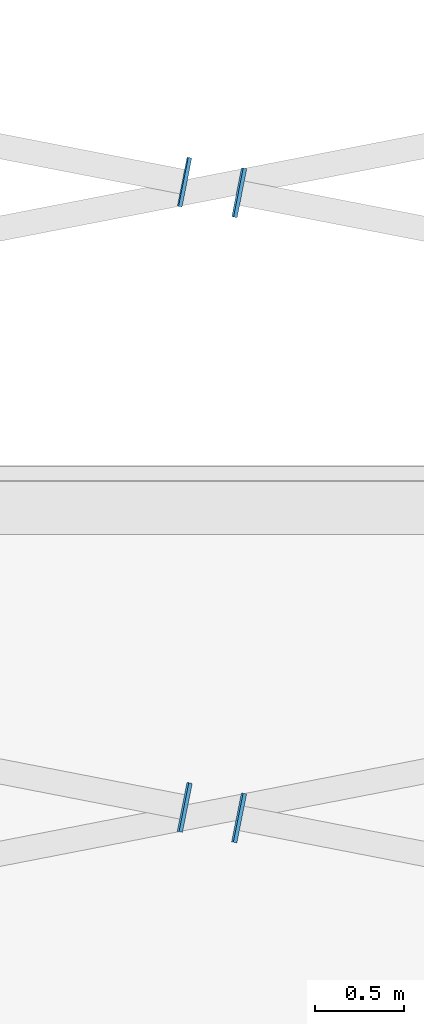
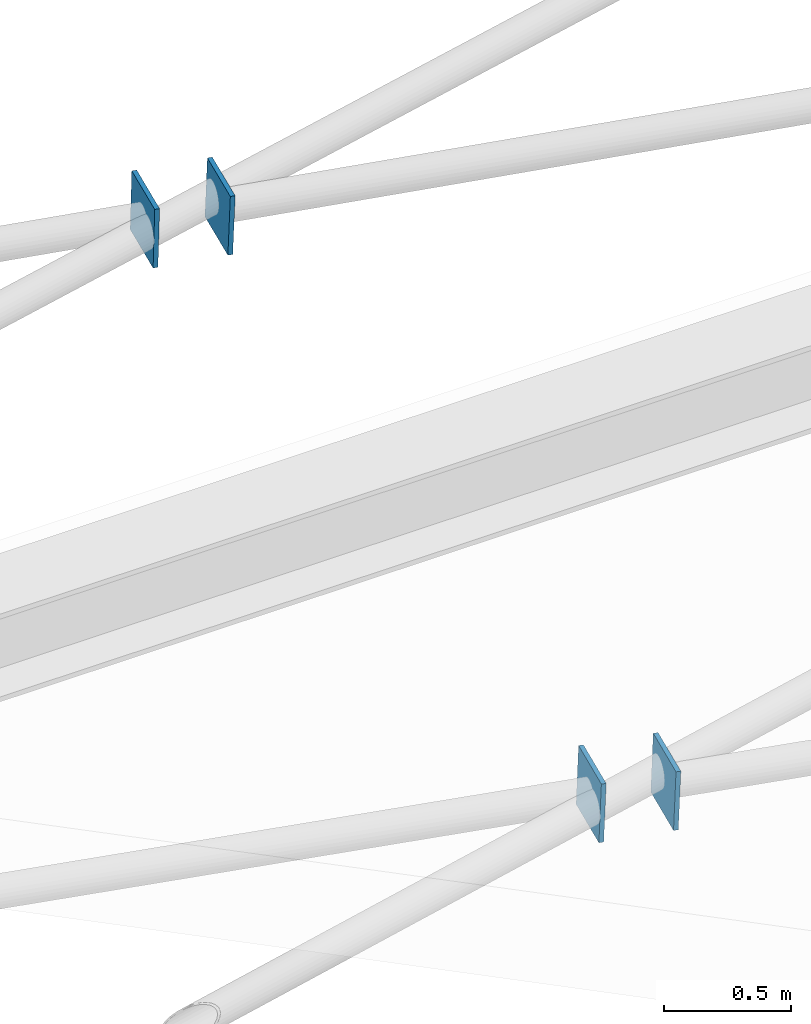
# One storey, part 60 of 69: 4 discrete accessories.
"""IFC4 building model written with IfcOpenShell, lengths in metres."""

from ifc_helpers import new_model, si_unit, direction, frame, origin, origin_2d, place, context, subcontext, project, spatial, rectangle, extrude, material, layer, layer_set, type_object, element, save


model = new_model("IFC4")

# Units and contexts
model_context = context("Model", 3, precision=1e-05, world=origin(), true_north=direction((0.0, 1.0)))
body_context = subcontext(model_context, "Body", "Model", "MODEL_VIEW")
ifc_project = project(units=[si_unit("LENGTHUNIT", "METRE"), si_unit("AREAUNIT", "SQUARE_METRE"), si_unit("VOLUMEUNIT", "CUBIC_METRE"), si_unit("PLANEANGLEUNIT", "RADIAN"), si_unit("MASSUNIT", "GRAM", prefix="KILO")], contexts=[model_context])

# Site, building, storey
site_placement = place(None, origin())
site = spatial("IfcSite", under=ifc_project, at=site_placement, CompositionType="ELEMENT")
building_placement = place(site_placement, origin())
building = spatial("IfcBuilding", under=site, at=building_placement, Name="Okhra Congress Centre", CompositionType="ELEMENT")
storey_placement = place(building_placement, frame((0.0, 0.0, 16.800048828125)))
storey = spatial("IfcBuildingStorey", under=building, at=storey_placement, Name="L03", CompositionType="ELEMENT", Elevation=16.800048828125)

# Discrete accessories
ifc_material = material(Name="Steel S355J2", Category="steel")
ifc_layer = layer(ifc_material, 0.02001953125)
ifc_layer_set = layer_set([ifc_layer], Name="Brace end connection plate 20 mm S355")
discrete_accessory_type = type_object("IfcDiscreteAccessoryType", Name="Brace end connection plate 20 mm S355", PredefinedType="BRACKET", material=ifc_layer_set)
for number, where, z_axis, x_axis, name in (
    (1, (37.161865234375, 154.718505859375, 4.078369140625), (-0.979918394569, 0.195983678914, 0.036746939796), (-0.196116135138, -0.980580675691, 0.0), "Brace end connection plate"),
    (2, (36.838134765625, 154.781494140625, 4.091064453125), (0.979918394569, -0.195983678914, -0.036746939796), (0.196116135138, 0.980580675691, 0.0), "Brace end connection plate"),
):
    element("IfcDiscreteAccessory", number, at=place(storey_placement, frame(where, z_axis=z_axis, x_axis=x_axis)), inside=storey, type_object=discrete_accessory_type, Name=name, PredefinedType="BRACKET", context=body_context, shape_type="SweptSolid", body=[
        extrude(rectangle(XDim=0.279052734375, YDim=0.279052734375, at=origin_2d()), origin(), (0.0, 0.0, 1.0), 0.02001953125),
    ])
for number, where, z_axis, x_axis, name in (
    (3, (37.1630859375, 158.21826171875, 4.711669921875), (-0.980396781614, 0.193658623529, 0.036310991912), (-0.193786418213, -0.981043742203, 0.0), "Brace end connection plate"),
    (4, (36.8369140625, 158.28173828125, 4.721923828125), (0.980756046085, -0.19372958935, -0.024216198669), (0.193786418213, 0.981043742203, 0.0), "Brace end connection plate"),
):
    element("IfcDiscreteAccessory", number, at=place(storey_placement, frame(where, z_axis=z_axis, x_axis=x_axis)), inside=storey, type_object=discrete_accessory_type, Name=name, PredefinedType="BRACKET", context=body_context, shape_type="SweptSolid", body=[
        extrude(rectangle(XDim=0.279052734375, YDim=0.279052734375, at=origin_2d()), origin(), (0.0, 0.0, 1.0), 0.020263671875),
    ])

save(model, "model.ifc")
